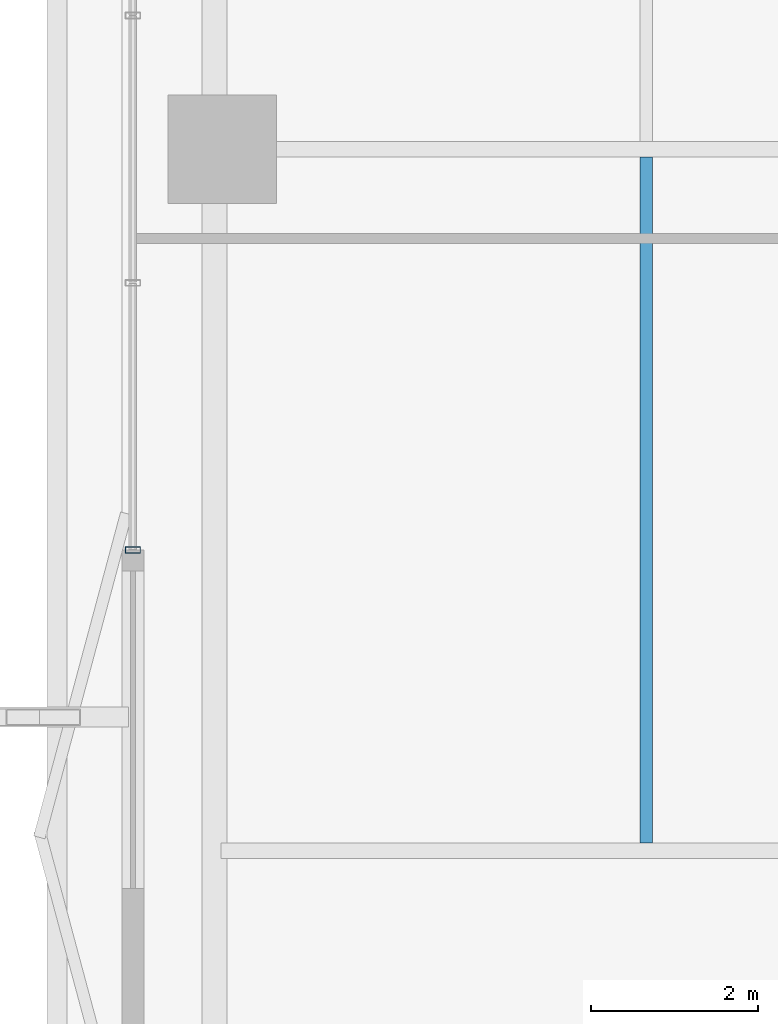
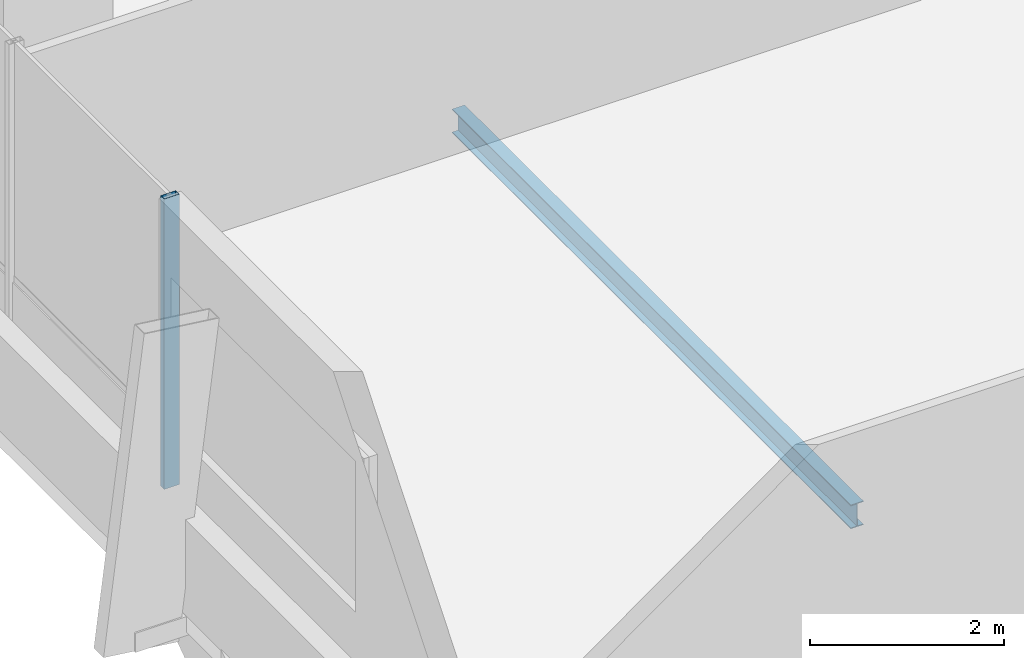
# One storey, part 7 of 34: 1 beam, 1 member, 1 element without a shape of its own.
"""IFC4 building model written with IfcOpenShell, lengths in metres."""

from ifc_helpers import new_model, si_unit, direction, frame, origin, origin_2d, place, context, subcontext, project, spatial, hollow_rectangle, i_section, extrude, material, layer, layer_set, material_profile, profile_set, type_object, element, aggregate, save


model = new_model("IFC4")

# Units and contexts
model_context = context("Model", 3, precision=1e-05, world=origin(), true_north=direction((0.0, 1.0)))
body_context = subcontext(model_context, "Body", "Model", "MODEL_VIEW")
ifc_project = project(units=[si_unit("LENGTHUNIT", "METRE"), si_unit("AREAUNIT", "SQUARE_METRE"), si_unit("VOLUMEUNIT", "CUBIC_METRE"), si_unit("PLANEANGLEUNIT", "RADIAN"), si_unit("MASSUNIT", "GRAM", prefix="KILO")], contexts=[model_context])

# Site, building, storey
site_placement = place(None, origin())
site = spatial("IfcSite", under=ifc_project, at=site_placement, CompositionType="ELEMENT")
building_placement = place(site_placement, origin())
building = spatial("IfcBuilding", under=site, at=building_placement, Name="Belovzor Exchange Tower", CompositionType="ELEMENT")
storey_placement = place(building_placement, frame((0.0, 0.0, 113.39990234375)))
storey = spatial("IfcBuildingStorey", under=building, at=storey_placement, Name="L27", CompositionType="ELEMENT", Elevation=113.39990234375)

# Beam
ifc_material_1 = material(Name="Steel S355", Category="steel")
ifc_material_profile_1 = material_profile(ifc_material_1, i_section(OverallWidth=0.14990234375, OverallDepth=0.300048828125, WebThickness=0.007080078125, FlangeThickness=0.0107421875, at=origin_2d()))
ifc_profile_set_1 = profile_set([ifc_material_profile_1], Name="Steel S355")
beam_type = type_object("IfcBeamType", Name="Secondary Trim Floor Joist IPE 300", PredefinedType="BEAM", material=ifc_profile_set_1)
beam_placement = place(storey_placement, frame((8.97607421875, 20.4951171875, -0.39990234375), z_axis=(0.0, 1.0, 0.0), x_axis=(-1.0, 0.0, 0.0)))
element("IfcBeam", 1, at=beam_placement, inside=storey, type_object=beam_type, Name="FJ-300 Secondary Trim Floor Joist IPE 300", PredefinedType="BEAM", context=body_context, shape_type="SweptSolid", body=[
    extrude(i_section(OverallWidth=0.14990234375, OverallDepth=0.300048828125, WebThickness=0.007080078125, FlangeThickness=0.0107421875, at=origin_2d()), origin(), (0.0, 0.0, 1.0), 8.2099609375),
])

# Curtain wall, member
ifc_material_2 = material(Name="Anodised Aluminium Framing", Category="aluminium")
ifc_layer = layer(ifc_material_2, 0.179931640625)
ifc_layer_set = layer_set([ifc_layer], Name="Anodised Aluminium Framing")
curtain_wall_type = type_object("IfcCurtainWallType", Name="Recessed Loggia Low-Iron Triple-Glazed Curtain Wall", PredefinedType="NOTDEFINED", material=ifc_layer_set)
curtain_wall_placement = place(storey_placement, origin())
curtain_wall = element("IfcCurtainWall", 2, at=curtain_wall_placement, inside=storey, type_object=curtain_wall_type, Name="CW3 Recessed Loggia Low-Iron Triple-Glazed Curtain Wall L27", PredefinedType="NOTDEFINED")
ifc_material_3 = material(Name="Steel S355", Category="steel")
ifc_material_profile_2 = material_profile(ifc_material_3, hollow_rectangle(XDim=0.074951171875, YDim=0.179931640625, WallThickness=0.0048828125, at=origin_2d()))
ifc_profile_set_2 = profile_set([ifc_material_profile_2], Name="Steel S355")
member_type = type_object("IfcMemberType", Name="Thermally Broken Curtain Wall Mullion 180x75", PredefinedType="MULLION", material=ifc_profile_set_2)
member_placement = place(storey_placement, frame((2.830078125, 24.0, 0.0), z_axis=(0.0, 0.0, 1.0), x_axis=(0.0, 1.0, 0.0)))
member = element("IfcMember", 3, at=member_placement, type_object=member_type, Name="CW-M180 Curtain Wall Mullion 1", PredefinedType="MULLION", context=body_context, shape_type="SweptSolid", body=[
    extrude(hollow_rectangle(XDim=0.074951171875, YDim=0.179931640625, WallThickness=0.0048828125, at=origin_2d()), origin(), (0.0, 0.0, 1.0), 3.650146484375),
])
aggregate(curtain_wall, [member])

save(model, "model.ifc")
